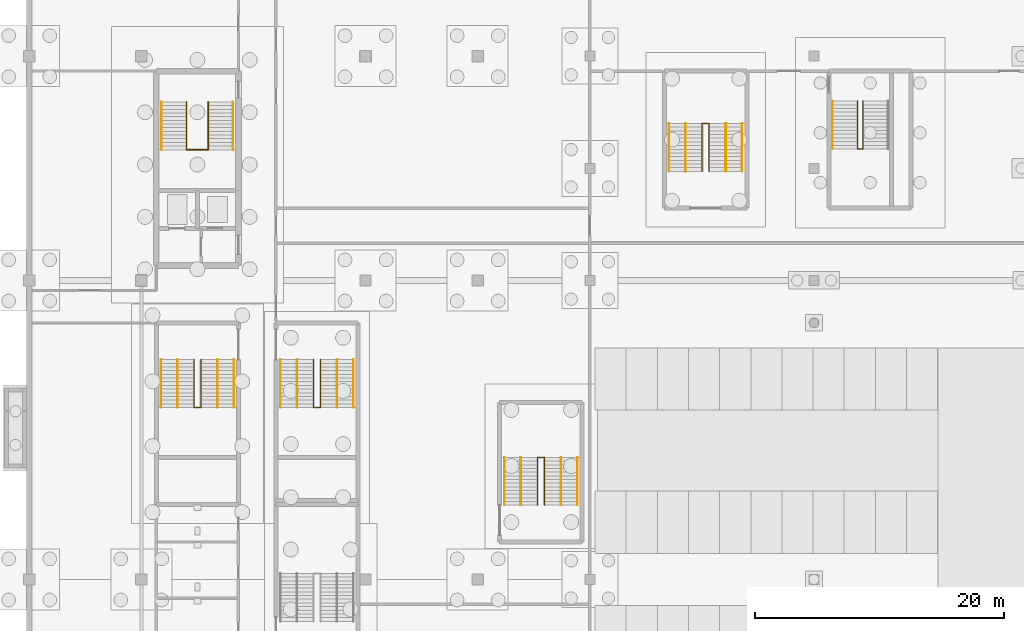
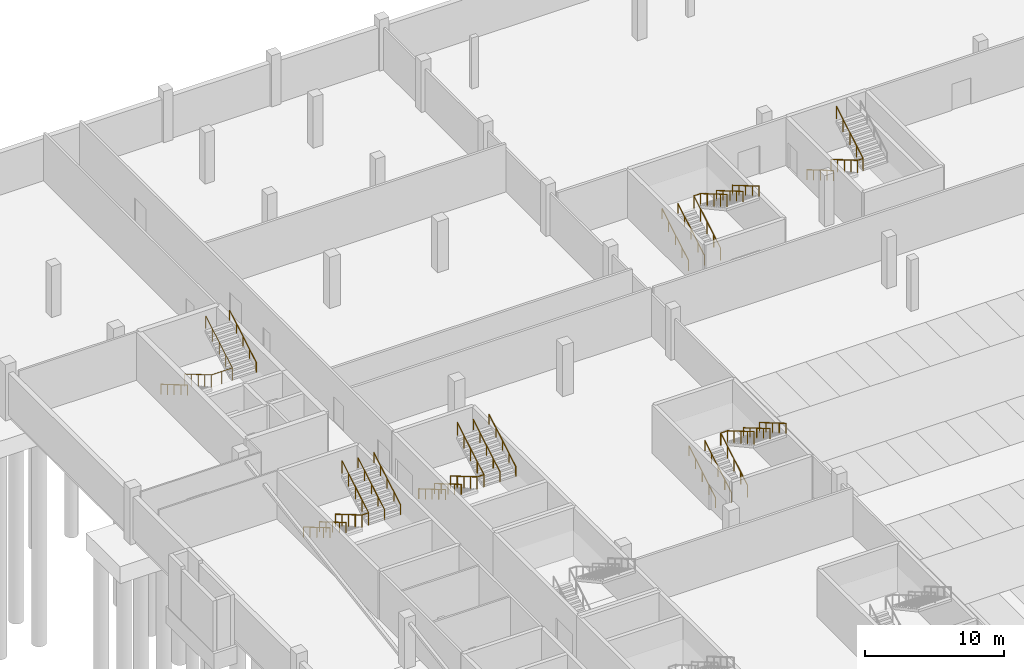
# One storey, part 41 of 46: 25 railings.
"""IFC4 building model written with IfcOpenShell, lengths in metres."""

from ifc_helpers import new_model, si_unit, direction, frame, origin, origin_2d, place, context, subcontext, project, spatial, circle, extrude, material, type_object, element, save


model = new_model("IFC4")

# Units and contexts
model_context = context("Model", 3, precision=1e-05, world=origin(), true_north=direction((0.0, 1.0)))
body_context = subcontext(model_context, "Body", "Model", "MODEL_VIEW")
ifc_project = project(units=[si_unit("LENGTHUNIT", "METRE"), si_unit("AREAUNIT", "SQUARE_METRE"), si_unit("VOLUMEUNIT", "CUBIC_METRE"), si_unit("PLANEANGLEUNIT", "RADIAN"), si_unit("MASSUNIT", "GRAM", prefix="KILO")], contexts=[model_context])

# Site, building, storey
site_placement = place(None, origin())
site = spatial("IfcSite", under=ifc_project, at=site_placement, CompositionType="ELEMENT")
building_placement = place(site_placement, origin())
building = spatial("IfcBuilding", under=site, at=building_placement, Name="Kisiwana Market Hall", CompositionType="ELEMENT")
storey_placement = place(building_placement, frame((0.0, 0.0, -4.5)))
storey = spatial("IfcBuildingStorey", under=building, at=storey_placement, Name="B1", CompositionType="ELEMENT", Elevation=-4.5)

# Railings
ifc_material_1 = material(Name="Steel S275", Category="steel")
railing_type_1 = type_object("IfcRailingType", Name="RL-GUARD-1100", PredefinedType="GUARDRAIL", material=ifc_material_1)
railing_1_placement = place(storey_placement, frame((12.625, 98.325439453125, 0.0)))
element("IfcRailing", 1, at=railing_1_placement, inside=storey, type_object=railing_type_1, Name="Stair ST-W1-B1 inner-well guardrail (RL-016)", PredefinedType="GUARDRAIL", context=body_context, shape_type="SweptSolid", body=[
    extrude(circle(Radius=0.02392578125, at=origin_2d()), frame((0.0, 0.0, 1.076171875), z_axis=(0.0, -0.86250956776, 0.506040754805), x_axis=(1.0, 0.0, 0.0)), (0.0, 0.0, 1.0), 4.4462890625),
    extrude(circle(Radius=0.02392578125, at=origin_2d()), frame((0.0, -3.8349609375, 3.326171875), z_axis=(1.0, 0.0, 0.0), x_axis=(0.0, 1.0, 0.0)), (0.0, 0.0, 1.0), 1.75),
    extrude(circle(Radius=0.02392578125, at=origin_2d()), frame((1.75, -3.8349609375, 3.326171875), z_axis=(0.0, 0.86250956776, 0.506040754805), x_axis=(-1.0, 0.0, 0.0)), (0.0, 0.0, 1.0), 4.4462890625),
    extrude(circle(Radius=0.02099609375, at=origin_2d()), origin(), (0.0, 0.0, 1.0), 1.052001953125),
    extrude(circle(Radius=0.02099609375, at=origin_2d()), frame((0.0, -0.958740234375, 0.5625)), (0.0, 0.0, 1.0), 1.052001953125),
    extrude(circle(Radius=0.02099609375, at=origin_2d()), frame((0.0, -1.91748046875, 1.125)), (0.0, 0.0, 1.0), 1.052001953125),
    extrude(circle(Radius=0.02099609375, at=origin_2d()), frame((0.0, -2.876220703125, 1.6875)), (0.0, 0.0, 1.0), 1.052001953125),
    extrude(circle(Radius=0.02099609375, at=origin_2d()), frame((0.0, -3.8349609375, 2.25)), (0.0, 0.0, 1.0), 1.052001953125),
    extrude(circle(Radius=0.02099609375, at=origin_2d()), frame((0.875, -3.8349609375, 2.25)), (0.0, 0.0, 1.0), 1.052001953125),
    extrude(circle(Radius=0.02099609375, at=origin_2d()), frame((1.75, -3.8349609375, 2.25)), (0.0, 0.0, 1.0), 1.052001953125),
    extrude(circle(Radius=0.02099609375, at=origin_2d()), frame((1.75, -2.876220703125, 2.8125)), (0.0, 0.0, 1.0), 1.052001953125),
    extrude(circle(Radius=0.02099609375, at=origin_2d()), frame((1.75, -1.91748046875, 3.375)), (0.0, 0.0, 1.0), 1.052001953125),
    extrude(circle(Radius=0.02099609375, at=origin_2d()), frame((1.75, -0.958740234375, 3.9375)), (0.0, 0.0, 1.0), 1.052001953125),
    extrude(circle(Radius=0.02099609375, at=origin_2d()), frame((1.75, 0.0, 4.5)), (0.0, 0.0, 1.0), 1.052001953125),
])
railing_2_placement = place(storey_placement, frame((66.47998046875, 98.390380859375, 0.0)))
element("IfcRailing", 2, at=railing_2_placement, inside=storey, type_object=railing_type_1, Name="Stair ST-N1-B1 inner-well guardrail (RL-031)", PredefinedType="GUARDRAIL", context=body_context, shape_type="SweptSolid", body=[
    extrude(circle(Radius=0.02392578125, at=origin_2d()), frame((0.0, 0.0, 1.076171875), z_axis=(0.0, -0.86250956776, 0.506040754805), x_axis=(1.0, 0.0, 0.0)), (0.0, 0.0, 1.0), 4.4462890625),
    extrude(circle(Radius=0.02392578125, at=origin_2d()), frame((0.0, -3.8349609375, 3.326171875), z_axis=(1.0, 0.0, 0.0), x_axis=(0.0, 1.0, 0.0)), (0.0, 0.0, 1.0), 0.4599609375),
    extrude(circle(Radius=0.02392578125, at=origin_2d()), frame((0.4599609375, -3.8349609375, 3.326171875), z_axis=(0.0, 0.86250956776, 0.506040754805), x_axis=(-1.0, 0.0, 0.0)), (0.0, 0.0, 1.0), 4.4462890625),
    extrude(circle(Radius=0.02099609375, at=origin_2d()), origin(), (0.0, 0.0, 1.0), 1.052001953125),
    extrude(circle(Radius=0.02099609375, at=origin_2d()), frame((0.0, -0.958740234375, 0.5625)), (0.0, 0.0, 1.0), 1.052001953125),
    extrude(circle(Radius=0.02099609375, at=origin_2d()), frame((0.0, -1.91748046875, 1.125)), (0.0, 0.0, 1.0), 1.052001953125),
    extrude(circle(Radius=0.02099609375, at=origin_2d()), frame((0.0, -2.876220703125, 1.6875)), (0.0, 0.0, 1.0), 1.052001953125),
    extrude(circle(Radius=0.02099609375, at=origin_2d()), frame((0.0, -3.8349609375, 2.25)), (0.0, 0.0, 1.0), 1.052001953125),
    extrude(circle(Radius=0.02099609375, at=origin_2d()), frame((0.4599609375, -3.8349609375, 2.25)), (0.0, 0.0, 1.0), 1.052001953125),
    extrude(circle(Radius=0.02099609375, at=origin_2d()), frame((0.4599609375, -2.876220703125, 2.8125)), (0.0, 0.0, 1.0), 1.052001953125),
    extrude(circle(Radius=0.02099609375, at=origin_2d()), frame((0.4599609375, -1.91748046875, 3.375)), (0.0, 0.0, 1.0), 1.052001953125),
    extrude(circle(Radius=0.02099609375, at=origin_2d()), frame((0.4599609375, -0.958740234375, 3.9375)), (0.0, 0.0, 1.0), 1.052001953125),
    extrude(circle(Radius=0.02099609375, at=origin_2d()), frame((0.4599609375, 0.0, 4.5)), (0.0, 0.0, 1.0), 1.052001953125),
])
railing_3_placement = place(storey_placement, frame((13.219970703125, 77.639892578125, 0.0)))
element("IfcRailing", 3, at=railing_3_placement, inside=storey, type_object=railing_type_1, Name="Stair ST-W4-B1 inner-well guardrail (RL-042)", PredefinedType="GUARDRAIL", context=body_context, shape_type="SweptSolid", body=[
    extrude(circle(Radius=0.02392578125, at=origin_2d()), frame((0.0, 0.0, 1.076171875), z_axis=(0.0, -0.86250956776, 0.506040754805), x_axis=(1.0, 0.0, 0.0)), (0.0, 0.0, 1.0), 4.4462890625),
    extrude(circle(Radius=0.02392578125, at=origin_2d()), frame((0.0, -3.8349609375, 3.326171875), z_axis=(1.0, 0.0, 0.0), x_axis=(0.0, 1.0, 0.0)), (0.0, 0.0, 1.0), 0.56005859375),
    extrude(circle(Radius=0.02392578125, at=origin_2d()), frame((0.56005859375, -3.8349609375, 3.326171875), z_axis=(0.0, 0.86250956776, 0.506040754805), x_axis=(-1.0, 0.0, 0.0)), (0.0, 0.0, 1.0), 4.4462890625),
    extrude(circle(Radius=0.02099609375, at=origin_2d()), origin(), (0.0, 0.0, 1.0), 1.052001953125),
    extrude(circle(Radius=0.02099609375, at=origin_2d()), frame((0.0, -0.958740234375, 0.5625)), (0.0, 0.0, 1.0), 1.052001953125),
    extrude(circle(Radius=0.02099609375, at=origin_2d()), frame((0.0, -1.91748046875, 1.125)), (0.0, 0.0, 1.0), 1.052001953125),
    extrude(circle(Radius=0.02099609375, at=origin_2d()), frame((0.0, -2.876220703125, 1.6875)), (0.0, 0.0, 1.0), 1.052001953125),
    extrude(circle(Radius=0.02099609375, at=origin_2d()), frame((0.0, -3.8349609375, 2.25)), (0.0, 0.0, 1.0), 1.052001953125),
    extrude(circle(Radius=0.02099609375, at=origin_2d()), frame((0.56005859375, -3.8349609375, 2.25)), (0.0, 0.0, 1.0), 1.052001953125),
    extrude(circle(Radius=0.02099609375, at=origin_2d()), frame((0.56005859375, -2.876220703125, 2.8125)), (0.0, 0.0, 1.0), 1.052001953125),
    extrude(circle(Radius=0.02099609375, at=origin_2d()), frame((0.56005859375, -1.91748046875, 3.375)), (0.0, 0.0, 1.0), 1.052001953125),
    extrude(circle(Radius=0.02099609375, at=origin_2d()), frame((0.56005859375, -0.958740234375, 3.9375)), (0.0, 0.0, 1.0), 1.052001953125),
    extrude(circle(Radius=0.02099609375, at=origin_2d()), frame((0.56005859375, 0.0, 4.5)), (0.0, 0.0, 1.0), 1.052001953125),
])
railing_4_placement = place(storey_placement, frame((22.820068359375, 77.639892578125, 0.0)))
element("IfcRailing", 4, at=railing_4_placement, inside=storey, type_object=railing_type_1, Name="Stair ST-W8-B1 inner-well guardrail (RL-067)", PredefinedType="GUARDRAIL", context=body_context, shape_type="SweptSolid", body=[
    extrude(circle(Radius=0.02392578125, at=origin_2d()), frame((0.0, 0.0, 1.076171875), z_axis=(0.0, -0.86250956776, 0.506040754805), x_axis=(1.0, 0.0, 0.0)), (0.0, 0.0, 1.0), 4.4462890625),
    extrude(circle(Radius=0.02392578125, at=origin_2d()), frame((0.0, -3.8349609375, 3.326171875), z_axis=(1.0, 0.0, 0.0), x_axis=(0.0, 1.0, 0.0)), (0.0, 0.0, 1.0), 0.559814453125),
    extrude(circle(Radius=0.02392578125, at=origin_2d()), frame((0.559814453125, -3.8349609375, 3.326171875), z_axis=(0.0, 0.86250956776, 0.506040754805), x_axis=(-1.0, 0.0, 0.0)), (0.0, 0.0, 1.0), 4.4462890625),
    extrude(circle(Radius=0.02099609375, at=origin_2d()), origin(), (0.0, 0.0, 1.0), 1.052001953125),
    extrude(circle(Radius=0.02099609375, at=origin_2d()), frame((0.0, -0.958740234375, 0.5625)), (0.0, 0.0, 1.0), 1.052001953125),
    extrude(circle(Radius=0.02099609375, at=origin_2d()), frame((0.0, -1.91748046875, 1.125)), (0.0, 0.0, 1.0), 1.052001953125),
    extrude(circle(Radius=0.02099609375, at=origin_2d()), frame((0.0, -2.876220703125, 1.6875)), (0.0, 0.0, 1.0), 1.052001953125),
    extrude(circle(Radius=0.02099609375, at=origin_2d()), frame((0.0, -3.8349609375, 2.25)), (0.0, 0.0, 1.0), 1.052001953125),
    extrude(circle(Radius=0.02099609375, at=origin_2d()), frame((0.559814453125, -3.8349609375, 2.25)), (0.0, 0.0, 1.0), 1.052001953125),
    extrude(circle(Radius=0.02099609375, at=origin_2d()), frame((0.559814453125, -2.876220703125, 2.8125)), (0.0, 0.0, 1.0), 1.052001953125),
    extrude(circle(Radius=0.02099609375, at=origin_2d()), frame((0.559814453125, -1.91748046875, 3.375)), (0.0, 0.0, 1.0), 1.052001953125),
    extrude(circle(Radius=0.02099609375, at=origin_2d()), frame((0.559814453125, -0.958740234375, 3.9375)), (0.0, 0.0, 1.0), 1.052001953125),
    extrude(circle(Radius=0.02099609375, at=origin_2d()), frame((0.559814453125, 0.0, 4.5)), (0.0, 0.0, 1.0), 1.052001953125),
])
railing_5_placement = place(storey_placement, frame((40.7900390625, 65.9599609375, 0.0)))
element("IfcRailing", 5, at=railing_5_placement, inside=storey, type_object=railing_type_1, Name="Stair ST-W10-B1 inner-well guardrail (RL-087)", PredefinedType="GUARDRAIL", context=body_context, shape_type="SweptSolid", body=[
    extrude(circle(Radius=0.02392578125, at=origin_2d()), frame((0.0, 0.0, 1.076171875), z_axis=(0.0, 0.86250956776, 0.506040754805), x_axis=(-1.0, 0.0, 0.0)), (0.0, 0.0, 1.0), 4.4462890625),
    extrude(circle(Radius=0.02392578125, at=origin_2d()), frame((0.0, 3.8349609375, 3.326171875), z_axis=(1.0, 0.0, 0.0), x_axis=(0.0, 1.0, 0.0)), (0.0, 0.0, 1.0), 0.56005859375),
    extrude(circle(Radius=0.02392578125, at=origin_2d()), frame((0.56005859375, 3.8349609375, 3.326171875), z_axis=(0.0, -0.86250956776, 0.506040754805), x_axis=(1.0, 0.0, 0.0)), (0.0, 0.0, 1.0), 4.4462890625),
    extrude(circle(Radius=0.02099609375, at=origin_2d()), origin(), (0.0, 0.0, 1.0), 1.052001953125),
    extrude(circle(Radius=0.02099609375, at=origin_2d()), frame((0.0, 0.958740234375, 0.5625)), (0.0, 0.0, 1.0), 1.052001953125),
    extrude(circle(Radius=0.02099609375, at=origin_2d()), frame((0.0, 1.91748046875, 1.125)), (0.0, 0.0, 1.0), 1.052001953125),
    extrude(circle(Radius=0.02099609375, at=origin_2d()), frame((0.0, 2.876220703125, 1.6875)), (0.0, 0.0, 1.0), 1.052001953125),
    extrude(circle(Radius=0.02099609375, at=origin_2d()), frame((0.0, 3.8349609375, 2.25)), (0.0, 0.0, 1.0), 1.052001953125),
    extrude(circle(Radius=0.02099609375, at=origin_2d()), frame((0.56005859375, 3.8349609375, 2.25)), (0.0, 0.0, 1.0), 1.052001953125),
    extrude(circle(Radius=0.02099609375, at=origin_2d()), frame((0.56005859375, 2.876220703125, 2.8125)), (0.0, 0.0, 1.0), 1.052001953125),
    extrude(circle(Radius=0.02099609375, at=origin_2d()), frame((0.56005859375, 1.91748046875, 3.375)), (0.0, 0.0, 1.0), 1.052001953125),
    extrude(circle(Radius=0.02099609375, at=origin_2d()), frame((0.56005859375, 0.958740234375, 3.9375)), (0.0, 0.0, 1.0), 1.052001953125),
    extrude(circle(Radius=0.02099609375, at=origin_2d()), frame((0.56005859375, 0.0, 4.5)), (0.0, 0.0, 1.0), 1.052001953125),
])
railing_6_placement = place(storey_placement, frame((54.02001953125, 92.760009765625, 0.0)))
element("IfcRailing", 6, at=railing_6_placement, inside=storey, type_object=railing_type_1, Name="Stair ST-N3-B1 inner-well guardrail (RL-112)", PredefinedType="GUARDRAIL", context=body_context, shape_type="SweptSolid", body=[
    extrude(circle(Radius=0.02392578125, at=origin_2d()), frame((0.0, 0.0, 1.076171875), z_axis=(0.0, 0.86250956776, 0.506040754805), x_axis=(-1.0, 0.0, 0.0)), (0.0, 0.0, 1.0), 4.4462890625),
    extrude(circle(Radius=0.02392578125, at=origin_2d()), frame((0.0, 3.8349609375, 3.326171875), z_axis=(1.0, 0.0, 0.0), x_axis=(0.0, 1.0, 0.0)), (0.0, 0.0, 1.0), 0.56005859375),
    extrude(circle(Radius=0.02392578125, at=origin_2d()), frame((0.56005859375, 3.8349609375, 3.326171875), z_axis=(0.0, -0.86250956776, 0.506040754805), x_axis=(1.0, 0.0, 0.0)), (0.0, 0.0, 1.0), 4.4462890625),
    extrude(circle(Radius=0.02099609375, at=origin_2d()), origin(), (0.0, 0.0, 1.0), 1.052001953125),
    extrude(circle(Radius=0.02099609375, at=origin_2d()), frame((0.0, 0.958740234375, 0.5625)), (0.0, 0.0, 1.0), 1.052001953125),
    extrude(circle(Radius=0.02099609375, at=origin_2d()), frame((0.0, 1.91748046875, 1.125)), (0.0, 0.0, 1.0), 1.052001953125),
    extrude(circle(Radius=0.02099609375, at=origin_2d()), frame((0.0, 2.876220703125, 1.6875)), (0.0, 0.0, 1.0), 1.052001953125),
    extrude(circle(Radius=0.02099609375, at=origin_2d()), frame((0.0, 3.8349609375, 2.25)), (0.0, 0.0, 1.0), 1.052001953125),
    extrude(circle(Radius=0.02099609375, at=origin_2d()), frame((0.56005859375, 3.8349609375, 2.25)), (0.0, 0.0, 1.0), 1.052001953125),
    extrude(circle(Radius=0.02099609375, at=origin_2d()), frame((0.56005859375, 2.876220703125, 2.8125)), (0.0, 0.0, 1.0), 1.052001953125),
    extrude(circle(Radius=0.02099609375, at=origin_2d()), frame((0.56005859375, 1.91748046875, 3.375)), (0.0, 0.0, 1.0), 1.052001953125),
    extrude(circle(Radius=0.02099609375, at=origin_2d()), frame((0.56005859375, 0.958740234375, 3.9375)), (0.0, 0.0, 1.0), 1.052001953125),
    extrude(circle(Radius=0.02099609375, at=origin_2d()), frame((0.56005859375, 0.0, 4.5)), (0.0, 0.0, 1.0), 1.052001953125),
])
ifc_material_2 = material(Name="Steel S275", Category="steel")
railing_type_2 = type_object("IfcRailingType", Name="RL-HAND-900", PredefinedType="HANDRAIL", material=ifc_material_2)
railing_7_placement = place(storey_placement, frame((10.635009765625, 98.325439453125, 0.0)))
element("IfcRailing", 7, at=railing_7_placement, inside=storey, type_object=railing_type_2, Name="Stair ST-W1-B1 flight 1 handrail (RL-017)", PredefinedType="HANDRAIL", context=body_context, shape_type="SweptSolid", body=[
    extrude(circle(Radius=0.02392578125, at=origin_2d()), frame((0.0, 0.0, 0.8759765625), z_axis=(0.0, -0.86250956776, 0.506040754805), x_axis=(1.0, 0.0, 0.0)), (0.0, 0.0, 1.0), 4.4462890625),
    extrude(circle(Radius=0.02099609375, at=origin_2d()), origin(), (0.0, 0.0, 1.0), 0.851806640625),
    extrude(circle(Radius=0.02099609375, at=origin_2d()), frame((0.0, -0.958740234375, 0.5625)), (0.0, 0.0, 1.0), 0.851806640625),
    extrude(circle(Radius=0.02099609375, at=origin_2d()), frame((0.0, -1.91748046875, 1.125)), (0.0, 0.0, 1.0), 0.851806640625),
    extrude(circle(Radius=0.02099609375, at=origin_2d()), frame((0.0, -2.876220703125, 1.6875)), (0.0, 0.0, 1.0), 0.851806640625),
    extrude(circle(Radius=0.02099609375, at=origin_2d()), frame((0.0, -3.8349609375, 2.25)), (0.0, 0.0, 1.0), 0.851806640625),
])
railing_8_placement = place(storey_placement, frame((16.364990234375, 94.490478515625, 2.25)))
element("IfcRailing", 8, at=railing_8_placement, inside=storey, type_object=railing_type_2, Name="Stair ST-W1-B1 flight 2 handrail (RL-018)", PredefinedType="HANDRAIL", context=body_context, shape_type="SweptSolid", body=[
    extrude(circle(Radius=0.02392578125, at=origin_2d()), frame((0.0, 0.0, 0.8759765625), z_axis=(0.0, 0.86250956776, 0.506040754805), x_axis=(-1.0, 0.0, 0.0)), (0.0, 0.0, 1.0), 4.4462890625),
    extrude(circle(Radius=0.02099609375, at=origin_2d()), origin(), (0.0, 0.0, 1.0), 0.851806640625),
    extrude(circle(Radius=0.02099609375, at=origin_2d()), frame((0.0, 0.958740234375, 0.5625)), (0.0, 0.0, 1.0), 0.851806640625),
    extrude(circle(Radius=0.02099609375, at=origin_2d()), frame((0.0, 1.91748046875, 1.125)), (0.0, 0.0, 1.0), 0.851806640625),
    extrude(circle(Radius=0.02099609375, at=origin_2d()), frame((0.0, 2.876220703125, 1.6875)), (0.0, 0.0, 1.0), 0.851806640625),
    extrude(circle(Radius=0.02099609375, at=origin_2d()), frame((0.0, 3.8349609375, 2.25)), (0.0, 0.0, 1.0), 0.851806640625),
])
for number, where, name in (
    (9, (64.47998046875, 98.390380859375, 0.0), "Stair ST-N1-B1 flight 1 handrail (RL-032)"),
    (10, (10.570068359375, 77.639892578125, 0.0), "Stair ST-W4-B1 flight 1 handrail (RL-043)"),
):
    element("IfcRailing", number, at=place(storey_placement, frame(where)), inside=storey, type_object=railing_type_2, Name=name, PredefinedType="HANDRAIL", context=body_context, shape_type="SweptSolid", body=[
        extrude(circle(Radius=0.02392578125, at=origin_2d()), frame((0.0, 0.0, 0.8759765625), z_axis=(0.0, -0.86250956776, 0.506040754805), x_axis=(1.0, 0.0, 0.0)), (0.0, 0.0, 1.0), 4.4462890625),
        extrude(circle(Radius=0.02099609375, at=origin_2d()), origin(), (0.0, 0.0, 1.0), 0.851806640625),
        extrude(circle(Radius=0.02099609375, at=origin_2d()), frame((0.0, -0.958740234375, 0.5625)), (0.0, 0.0, 1.0), 0.851806640625),
        extrude(circle(Radius=0.02099609375, at=origin_2d()), frame((0.0, -1.91748046875, 1.125)), (0.0, 0.0, 1.0), 0.851806640625),
        extrude(circle(Radius=0.02099609375, at=origin_2d()), frame((0.0, -2.876220703125, 1.6875)), (0.0, 0.0, 1.0), 0.851806640625),
        extrude(circle(Radius=0.02099609375, at=origin_2d()), frame((0.0, -3.8349609375, 2.25)), (0.0, 0.0, 1.0), 0.851806640625),
    ])
railing_9_placement = place(storey_placement, frame((16.429931640625, 73.804931640625, 2.25)))
element("IfcRailing", 11, at=railing_9_placement, inside=storey, type_object=railing_type_2, Name="Stair ST-W4-B1 flight 2 handrail (RL-044)", PredefinedType="HANDRAIL", context=body_context, shape_type="SweptSolid", body=[
    extrude(circle(Radius=0.02392578125, at=origin_2d()), frame((0.0, 0.0, 0.8759765625), z_axis=(0.0, 0.86250956776, 0.506040754805), x_axis=(-1.0, 0.0, 0.0)), (0.0, 0.0, 1.0), 4.4462890625),
    extrude(circle(Radius=0.02099609375, at=origin_2d()), origin(), (0.0, 0.0, 1.0), 0.851806640625),
    extrude(circle(Radius=0.02099609375, at=origin_2d()), frame((0.0, 0.958740234375, 0.5625)), (0.0, 0.0, 1.0), 0.851806640625),
    extrude(circle(Radius=0.02099609375, at=origin_2d()), frame((0.0, 1.91748046875, 1.125)), (0.0, 0.0, 1.0), 0.851806640625),
    extrude(circle(Radius=0.02099609375, at=origin_2d()), frame((0.0, 2.876220703125, 1.6875)), (0.0, 0.0, 1.0), 0.851806640625),
    extrude(circle(Radius=0.02099609375, at=origin_2d()), frame((0.0, 3.8349609375, 2.25)), (0.0, 0.0, 1.0), 0.851806640625),
])
railing_10_placement = place(storey_placement, frame((11.889892578125, 77.639892578125, 0.0)))
element("IfcRailing", 12, at=railing_10_placement, inside=storey, type_object=railing_type_2, Name="Stair ST-W4-B1 flight 1 intermediate handrail (RL-045)", PredefinedType="HANDRAIL", context=body_context, shape_type="SweptSolid", body=[
    extrude(circle(Radius=0.02392578125, at=origin_2d()), frame((0.0, 0.0, 0.8759765625), z_axis=(0.0, -0.86250956776, 0.506040754805), x_axis=(1.0, 0.0, 0.0)), (0.0, 0.0, 1.0), 4.4462890625),
    extrude(circle(Radius=0.02099609375, at=origin_2d()), origin(), (0.0, 0.0, 1.0), 0.851806640625),
    extrude(circle(Radius=0.02099609375, at=origin_2d()), frame((0.0, -0.958740234375, 0.5625)), (0.0, 0.0, 1.0), 0.851806640625),
    extrude(circle(Radius=0.02099609375, at=origin_2d()), frame((0.0, -1.91748046875, 1.125)), (0.0, 0.0, 1.0), 0.851806640625),
    extrude(circle(Radius=0.02099609375, at=origin_2d()), frame((0.0, -2.876220703125, 1.6875)), (0.0, 0.0, 1.0), 0.851806640625),
    extrude(circle(Radius=0.02099609375, at=origin_2d()), frame((0.0, -3.8349609375, 2.25)), (0.0, 0.0, 1.0), 0.851806640625),
])
railing_11_placement = place(storey_placement, frame((15.110107421875, 73.804931640625, 2.25)))
element("IfcRailing", 13, at=railing_11_placement, inside=storey, type_object=railing_type_2, Name="Stair ST-W4-B1 flight 2 intermediate handrail (RL-046)", PredefinedType="HANDRAIL", context=body_context, shape_type="SweptSolid", body=[
    extrude(circle(Radius=0.02392578125, at=origin_2d()), frame((0.0, 0.0, 0.8759765625), z_axis=(0.0, 0.86250956776, 0.506040754805), x_axis=(-1.0, 0.0, 0.0)), (0.0, 0.0, 1.0), 4.4462890625),
    extrude(circle(Radius=0.02099609375, at=origin_2d()), origin(), (0.0, 0.0, 1.0), 0.851806640625),
    extrude(circle(Radius=0.02099609375, at=origin_2d()), frame((0.0, 0.958740234375, 0.5625)), (0.0, 0.0, 1.0), 0.851806640625),
    extrude(circle(Radius=0.02099609375, at=origin_2d()), frame((0.0, 1.91748046875, 1.125)), (0.0, 0.0, 1.0), 0.851806640625),
    extrude(circle(Radius=0.02099609375, at=origin_2d()), frame((0.0, 2.876220703125, 1.6875)), (0.0, 0.0, 1.0), 0.851806640625),
    extrude(circle(Radius=0.02099609375, at=origin_2d()), frame((0.0, 3.8349609375, 2.25)), (0.0, 0.0, 1.0), 0.851806640625),
])
railing_12_placement = place(storey_placement, frame((20.169921875, 77.639892578125, 0.0)))
element("IfcRailing", 14, at=railing_12_placement, inside=storey, type_object=railing_type_2, Name="Stair ST-W8-B1 flight 1 handrail (RL-068)", PredefinedType="HANDRAIL", context=body_context, shape_type="SweptSolid", body=[
    extrude(circle(Radius=0.02392578125, at=origin_2d()), frame((0.0, 0.0, 0.8759765625), z_axis=(0.0, -0.86250956776, 0.506040754805), x_axis=(1.0, 0.0, 0.0)), (0.0, 0.0, 1.0), 4.4462890625),
    extrude(circle(Radius=0.02099609375, at=origin_2d()), origin(), (0.0, 0.0, 1.0), 0.851806640625),
    extrude(circle(Radius=0.02099609375, at=origin_2d()), frame((0.0, -0.958740234375, 0.5625)), (0.0, 0.0, 1.0), 0.851806640625),
    extrude(circle(Radius=0.02099609375, at=origin_2d()), frame((0.0, -1.91748046875, 1.125)), (0.0, 0.0, 1.0), 0.851806640625),
    extrude(circle(Radius=0.02099609375, at=origin_2d()), frame((0.0, -2.876220703125, 1.6875)), (0.0, 0.0, 1.0), 0.851806640625),
    extrude(circle(Radius=0.02099609375, at=origin_2d()), frame((0.0, -3.8349609375, 2.25)), (0.0, 0.0, 1.0), 0.851806640625),
])
railing_13_placement = place(storey_placement, frame((26.030029296875, 73.804931640625, 2.25)))
element("IfcRailing", 15, at=railing_13_placement, inside=storey, type_object=railing_type_2, Name="Stair ST-W8-B1 flight 2 handrail (RL-069)", PredefinedType="HANDRAIL", context=body_context, shape_type="SweptSolid", body=[
    extrude(circle(Radius=0.02392578125, at=origin_2d()), frame((0.0, 0.0, 0.8759765625), z_axis=(0.0, 0.86250956776, 0.506040754805), x_axis=(-1.0, 0.0, 0.0)), (0.0, 0.0, 1.0), 4.4462890625),
    extrude(circle(Radius=0.02099609375, at=origin_2d()), origin(), (0.0, 0.0, 1.0), 0.851806640625),
    extrude(circle(Radius=0.02099609375, at=origin_2d()), frame((0.0, 0.958740234375, 0.5625)), (0.0, 0.0, 1.0), 0.851806640625),
    extrude(circle(Radius=0.02099609375, at=origin_2d()), frame((0.0, 1.91748046875, 1.125)), (0.0, 0.0, 1.0), 0.851806640625),
    extrude(circle(Radius=0.02099609375, at=origin_2d()), frame((0.0, 2.876220703125, 1.6875)), (0.0, 0.0, 1.0), 0.851806640625),
    extrude(circle(Radius=0.02099609375, at=origin_2d()), frame((0.0, 3.8349609375, 2.25)), (0.0, 0.0, 1.0), 0.851806640625),
])
railing_14_placement = place(storey_placement, frame((21.489990234375, 77.639892578125, 0.0)))
element("IfcRailing", 16, at=railing_14_placement, inside=storey, type_object=railing_type_2, Name="Stair ST-W8-B1 flight 1 intermediate handrail (RL-070)", PredefinedType="HANDRAIL", context=body_context, shape_type="SweptSolid", body=[
    extrude(circle(Radius=0.02392578125, at=origin_2d()), frame((0.0, 0.0, 0.8759765625), z_axis=(0.0, -0.86250956776, 0.506040754805), x_axis=(1.0, 0.0, 0.0)), (0.0, 0.0, 1.0), 4.4462890625),
    extrude(circle(Radius=0.02099609375, at=origin_2d()), origin(), (0.0, 0.0, 1.0), 0.851806640625),
    extrude(circle(Radius=0.02099609375, at=origin_2d()), frame((0.0, -0.958740234375, 0.5625)), (0.0, 0.0, 1.0), 0.851806640625),
    extrude(circle(Radius=0.02099609375, at=origin_2d()), frame((0.0, -1.91748046875, 1.125)), (0.0, 0.0, 1.0), 0.851806640625),
    extrude(circle(Radius=0.02099609375, at=origin_2d()), frame((0.0, -2.876220703125, 1.6875)), (0.0, 0.0, 1.0), 0.851806640625),
    extrude(circle(Radius=0.02099609375, at=origin_2d()), frame((0.0, -3.8349609375, 2.25)), (0.0, 0.0, 1.0), 0.851806640625),
])
for number, where, name in (
    (17, (24.7099609375, 73.804931640625, 2.25), "Stair ST-W8-B1 flight 2 intermediate handrail (RL-071)"),
    (18, (38.139892578125, 65.9599609375, 0.0), "Stair ST-W10-B1 flight 1 handrail (RL-088)"),
):
    element("IfcRailing", number, at=place(storey_placement, frame(where)), inside=storey, type_object=railing_type_2, Name=name, PredefinedType="HANDRAIL", context=body_context, shape_type="SweptSolid", body=[
        extrude(circle(Radius=0.02392578125, at=origin_2d()), frame((0.0, 0.0, 0.8759765625), z_axis=(0.0, 0.86250956776, 0.506040754805), x_axis=(-1.0, 0.0, 0.0)), (0.0, 0.0, 1.0), 4.4462890625),
        extrude(circle(Radius=0.02099609375, at=origin_2d()), origin(), (0.0, 0.0, 1.0), 0.851806640625),
        extrude(circle(Radius=0.02099609375, at=origin_2d()), frame((0.0, 0.958740234375, 0.5625)), (0.0, 0.0, 1.0), 0.851806640625),
        extrude(circle(Radius=0.02099609375, at=origin_2d()), frame((0.0, 1.91748046875, 1.125)), (0.0, 0.0, 1.0), 0.851806640625),
        extrude(circle(Radius=0.02099609375, at=origin_2d()), frame((0.0, 2.876220703125, 1.6875)), (0.0, 0.0, 1.0), 0.851806640625),
        extrude(circle(Radius=0.02099609375, at=origin_2d()), frame((0.0, 3.8349609375, 2.25)), (0.0, 0.0, 1.0), 0.851806640625),
    ])
railing_15_placement = place(storey_placement, frame((44.0, 69.794921875, 2.25)))
element("IfcRailing", 19, at=railing_15_placement, inside=storey, type_object=railing_type_2, Name="Stair ST-W10-B1 flight 2 handrail (RL-089)", PredefinedType="HANDRAIL", context=body_context, shape_type="SweptSolid", body=[
    extrude(circle(Radius=0.02392578125, at=origin_2d()), frame((0.0, 0.0, 0.8759765625), z_axis=(0.0, -0.86250956776, 0.506040754805), x_axis=(1.0, 0.0, 0.0)), (0.0, 0.0, 1.0), 4.4462890625),
    extrude(circle(Radius=0.02099609375, at=origin_2d()), origin(), (0.0, 0.0, 1.0), 0.851806640625),
    extrude(circle(Radius=0.02099609375, at=origin_2d()), frame((0.0, -0.958740234375, 0.5625)), (0.0, 0.0, 1.0), 0.851806640625),
    extrude(circle(Radius=0.02099609375, at=origin_2d()), frame((0.0, -1.91748046875, 1.125)), (0.0, 0.0, 1.0), 0.851806640625),
    extrude(circle(Radius=0.02099609375, at=origin_2d()), frame((0.0, -2.876220703125, 1.6875)), (0.0, 0.0, 1.0), 0.851806640625),
    extrude(circle(Radius=0.02099609375, at=origin_2d()), frame((0.0, -3.8349609375, 2.25)), (0.0, 0.0, 1.0), 0.851806640625),
])
railing_16_placement = place(storey_placement, frame((39.4599609375, 65.9599609375, 0.0)))
element("IfcRailing", 20, at=railing_16_placement, inside=storey, type_object=railing_type_2, Name="Stair ST-W10-B1 flight 1 intermediate handrail (RL-090)", PredefinedType="HANDRAIL", context=body_context, shape_type="SweptSolid", body=[
    extrude(circle(Radius=0.02392578125, at=origin_2d()), frame((0.0, 0.0, 0.8759765625), z_axis=(0.0, 0.86250956776, 0.506040754805), x_axis=(-1.0, 0.0, 0.0)), (0.0, 0.0, 1.0), 4.4462890625),
    extrude(circle(Radius=0.02099609375, at=origin_2d()), origin(), (0.0, 0.0, 1.0), 0.851806640625),
    extrude(circle(Radius=0.02099609375, at=origin_2d()), frame((0.0, 0.958740234375, 0.5625)), (0.0, 0.0, 1.0), 0.851806640625),
    extrude(circle(Radius=0.02099609375, at=origin_2d()), frame((0.0, 1.91748046875, 1.125)), (0.0, 0.0, 1.0), 0.851806640625),
    extrude(circle(Radius=0.02099609375, at=origin_2d()), frame((0.0, 2.876220703125, 1.6875)), (0.0, 0.0, 1.0), 0.851806640625),
    extrude(circle(Radius=0.02099609375, at=origin_2d()), frame((0.0, 3.8349609375, 2.25)), (0.0, 0.0, 1.0), 0.851806640625),
])
railing_17_placement = place(storey_placement, frame((42.679931640625, 69.794921875, 2.25)))
element("IfcRailing", 21, at=railing_17_placement, inside=storey, type_object=railing_type_2, Name="Stair ST-W10-B1 flight 2 intermediate handrail (RL-091)", PredefinedType="HANDRAIL", context=body_context, shape_type="SweptSolid", body=[
    extrude(circle(Radius=0.02392578125, at=origin_2d()), frame((0.0, 0.0, 0.8759765625), z_axis=(0.0, -0.86250956776, 0.506040754805), x_axis=(1.0, 0.0, 0.0)), (0.0, 0.0, 1.0), 4.4462890625),
    extrude(circle(Radius=0.02099609375, at=origin_2d()), origin(), (0.0, 0.0, 1.0), 0.851806640625),
    extrude(circle(Radius=0.02099609375, at=origin_2d()), frame((0.0, -0.958740234375, 0.5625)), (0.0, 0.0, 1.0), 0.851806640625),
    extrude(circle(Radius=0.02099609375, at=origin_2d()), frame((0.0, -1.91748046875, 1.125)), (0.0, 0.0, 1.0), 0.851806640625),
    extrude(circle(Radius=0.02099609375, at=origin_2d()), frame((0.0, -2.876220703125, 1.6875)), (0.0, 0.0, 1.0), 0.851806640625),
    extrude(circle(Radius=0.02099609375, at=origin_2d()), frame((0.0, -3.8349609375, 2.25)), (0.0, 0.0, 1.0), 0.851806640625),
])
railing_18_placement = place(storey_placement, frame((51.3701171875, 92.760009765625, 0.0)))
element("IfcRailing", 22, at=railing_18_placement, inside=storey, type_object=railing_type_2, Name="Stair ST-N3-B1 flight 1 handrail (RL-113)", PredefinedType="HANDRAIL", context=body_context, shape_type="SweptSolid", body=[
    extrude(circle(Radius=0.02392578125, at=origin_2d()), frame((0.0, 0.0, 0.8759765625), z_axis=(0.0, 0.86250956776, 0.506040754805), x_axis=(-1.0, 0.0, 0.0)), (0.0, 0.0, 1.0), 4.4462890625),
    extrude(circle(Radius=0.02099609375, at=origin_2d()), origin(), (0.0, 0.0, 1.0), 0.851806640625),
    extrude(circle(Radius=0.02099609375, at=origin_2d()), frame((0.0, 0.958740234375, 0.5625)), (0.0, 0.0, 1.0), 0.851806640625),
    extrude(circle(Radius=0.02099609375, at=origin_2d()), frame((0.0, 1.91748046875, 1.125)), (0.0, 0.0, 1.0), 0.851806640625),
    extrude(circle(Radius=0.02099609375, at=origin_2d()), frame((0.0, 2.876220703125, 1.6875)), (0.0, 0.0, 1.0), 0.851806640625),
    extrude(circle(Radius=0.02099609375, at=origin_2d()), frame((0.0, 3.8349609375, 2.25)), (0.0, 0.0, 1.0), 0.851806640625),
])
railing_19_placement = place(storey_placement, frame((57.22998046875, 96.594970703125, 2.25)))
element("IfcRailing", 23, at=railing_19_placement, inside=storey, type_object=railing_type_2, Name="Stair ST-N3-B1 flight 2 handrail (RL-114)", PredefinedType="HANDRAIL", context=body_context, shape_type="SweptSolid", body=[
    extrude(circle(Radius=0.02392578125, at=origin_2d()), frame((0.0, 0.0, 0.8759765625), z_axis=(0.0, -0.86250956776, 0.506040754805), x_axis=(1.0, 0.0, 0.0)), (0.0, 0.0, 1.0), 4.4462890625),
    extrude(circle(Radius=0.02099609375, at=origin_2d()), origin(), (0.0, 0.0, 1.0), 0.851806640625),
    extrude(circle(Radius=0.02099609375, at=origin_2d()), frame((0.0, -0.958740234375, 0.5625)), (0.0, 0.0, 1.0), 0.851806640625),
    extrude(circle(Radius=0.02099609375, at=origin_2d()), frame((0.0, -1.91748046875, 1.125)), (0.0, 0.0, 1.0), 0.851806640625),
    extrude(circle(Radius=0.02099609375, at=origin_2d()), frame((0.0, -2.876220703125, 1.6875)), (0.0, 0.0, 1.0), 0.851806640625),
    extrude(circle(Radius=0.02099609375, at=origin_2d()), frame((0.0, -3.8349609375, 2.25)), (0.0, 0.0, 1.0), 0.851806640625),
])
railing_20_placement = place(storey_placement, frame((52.68994140625, 92.760009765625, 0.0)))
element("IfcRailing", 24, at=railing_20_placement, inside=storey, type_object=railing_type_2, Name="Stair ST-N3-B1 flight 1 intermediate handrail (RL-115)", PredefinedType="HANDRAIL", context=body_context, shape_type="SweptSolid", body=[
    extrude(circle(Radius=0.02392578125, at=origin_2d()), frame((0.0, 0.0, 0.8759765625), z_axis=(0.0, 0.86250956776, 0.506040754805), x_axis=(-1.0, 0.0, 0.0)), (0.0, 0.0, 1.0), 4.4462890625),
    extrude(circle(Radius=0.02099609375, at=origin_2d()), origin(), (0.0, 0.0, 1.0), 0.851806640625),
    extrude(circle(Radius=0.02099609375, at=origin_2d()), frame((0.0, 0.958740234375, 0.5625)), (0.0, 0.0, 1.0), 0.851806640625),
    extrude(circle(Radius=0.02099609375, at=origin_2d()), frame((0.0, 1.91748046875, 1.125)), (0.0, 0.0, 1.0), 0.851806640625),
    extrude(circle(Radius=0.02099609375, at=origin_2d()), frame((0.0, 2.876220703125, 1.6875)), (0.0, 0.0, 1.0), 0.851806640625),
    extrude(circle(Radius=0.02099609375, at=origin_2d()), frame((0.0, 3.8349609375, 2.25)), (0.0, 0.0, 1.0), 0.851806640625),
])
railing_21_placement = place(storey_placement, frame((55.909912109375, 96.594970703125, 2.25)))
element("IfcRailing", 25, at=railing_21_placement, inside=storey, type_object=railing_type_2, Name="Stair ST-N3-B1 flight 2 intermediate handrail (RL-116)", PredefinedType="HANDRAIL", context=body_context, shape_type="SweptSolid", body=[
    extrude(circle(Radius=0.02392578125, at=origin_2d()), frame((0.0, 0.0, 0.8759765625), z_axis=(0.0, -0.86250956776, 0.506040754805), x_axis=(1.0, 0.0, 0.0)), (0.0, 0.0, 1.0), 4.4462890625),
    extrude(circle(Radius=0.02099609375, at=origin_2d()), origin(), (0.0, 0.0, 1.0), 0.851806640625),
    extrude(circle(Radius=0.02099609375, at=origin_2d()), frame((0.0, -0.958740234375, 0.5625)), (0.0, 0.0, 1.0), 0.851806640625),
    extrude(circle(Radius=0.02099609375, at=origin_2d()), frame((0.0, -1.91748046875, 1.125)), (0.0, 0.0, 1.0), 0.851806640625),
    extrude(circle(Radius=0.02099609375, at=origin_2d()), frame((0.0, -2.876220703125, 1.6875)), (0.0, 0.0, 1.0), 0.851806640625),
    extrude(circle(Radius=0.02099609375, at=origin_2d()), frame((0.0, -3.8349609375, 2.25)), (0.0, 0.0, 1.0), 0.851806640625),
])

save(model, "model.ifc")
